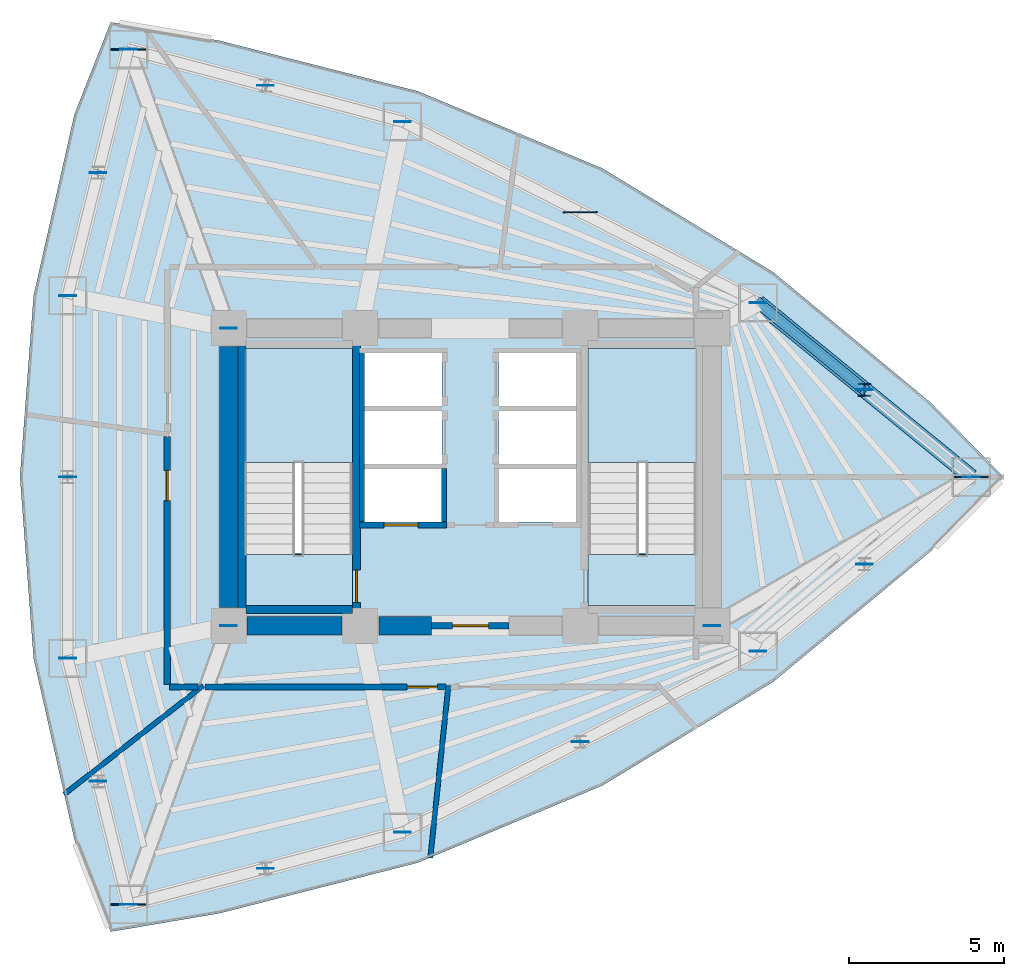
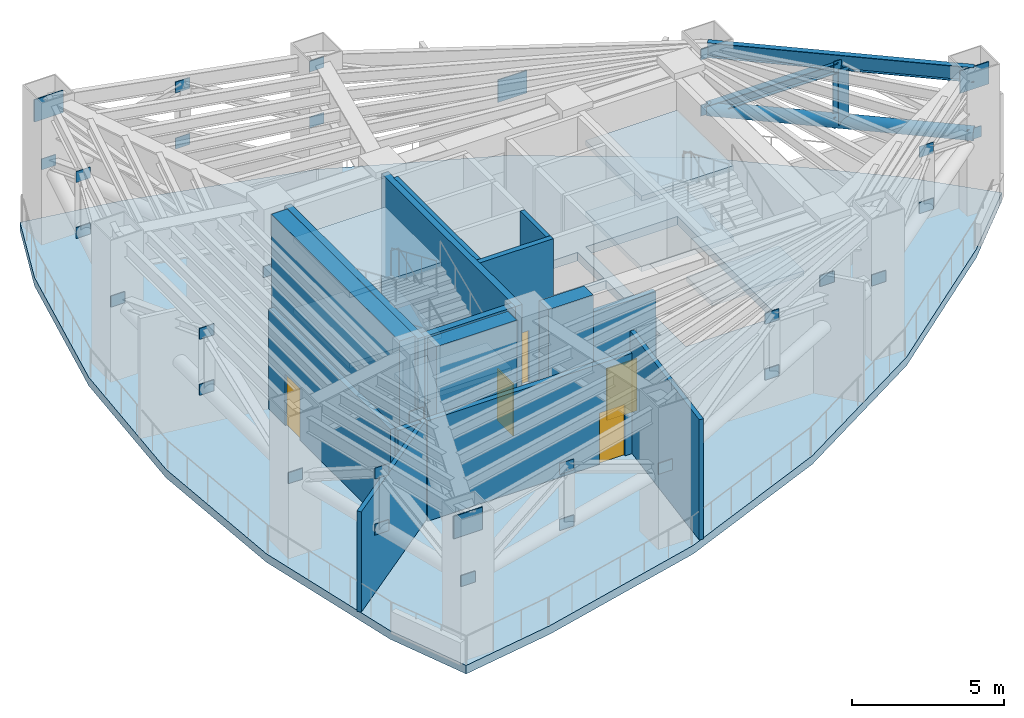
# One storey, part 3 of 7: 34 plates, 15 walls, 7 slabs, 5 doors, 3 members, 1 beam, 5 openings, 2 elements without a shape of their own.
"""IFC4 building model written with IfcOpenShell, lengths in metres."""

from ifc_helpers import new_model, si_unit, direction, frame, frame_2d, origin, origin_2d, place, context, subcontext, project, spatial, polyline, rectangle, hollow_circle, i_section, outline, extrude, material, layer, layer_set, material_profile, profile_set, type_object, element, fill, aggregate, save


model = new_model("IFC4")

# Units and contexts
model_context = context("Model", 3, precision=1e-05, world=origin(), true_north=direction((0.0, 1.0)))
body_context = subcontext(model_context, "Body", "Model", "MODEL_VIEW")
ifc_project = project(units=[si_unit("LENGTHUNIT", "METRE"), si_unit("AREAUNIT", "SQUARE_METRE"), si_unit("VOLUMEUNIT", "CUBIC_METRE"), si_unit("PLANEANGLEUNIT", "RADIAN"), si_unit("MASSUNIT", "GRAM", prefix="KILO")], contexts=[model_context])

# Site, building, storey
site_placement = place(None, origin())
site = spatial("IfcSite", under=ifc_project, at=site_placement, CompositionType="ELEMENT")
building_placement = place(site_placement, origin())
building = spatial("IfcBuilding", under=site, at=building_placement, Name="Menara Vayukalpa", CompositionType="ELEMENT")
storey_placement = place(building_placement, frame((0.0, 0.0, 83.39990234375)))
storey = spatial("IfcBuildingStorey", under=building, at=storey_placement, Name="L20", CompositionType="ELEMENT", Elevation=83.39990234375)

# Beam
ifc_material_1 = material(Name="Steel S355", Category="steel")
ifc_material_profile_1 = material_profile(ifc_material_1, i_section(OverallWidth=0.199951171875, OverallDepth=0.60009765625, WebThickness=0.010986328125, FlangeThickness=0.01708984375, at=origin_2d()), Name="WF 600x200x11x17")
ifc_profile_set_1 = profile_set([ifc_material_profile_1], Name="Steel S355")
beam_type = type_object("IfcBeamType", Name="BM-SP1", PredefinedType="SPANDREL", material=ifc_profile_set_1)
beam_placement = place(storey_placement, frame((41.761962890625, 22.0, 5.150146484375), z_axis=(-0.774156906301, 0.632993747541, 0.0), x_axis=(-0.632993747541, -0.774156906301, 0.0)))
element("IfcBeam", 1, at=beam_placement, inside=storey, type_object=beam_type, Name="L20 Perimeter Spandrel Beam SP01", PredefinedType="SPANDREL", context=body_context, shape_type="SweptSolid", body=[
    extrude(i_section(OverallWidth=0.199951171875, OverallDepth=0.60009765625, WebThickness=0.010986328125, FlangeThickness=0.01708984375, at=origin_2d()), origin(), (0.0, 0.0, 1.0), 8.880859375),
])

# Members
ifc_material_2 = material(Name="Steel S355", Category="steel")
ifc_material_profile_2 = material_profile(ifc_material_2, i_section(OverallWidth=0.35009765625, OverallDepth=0.35009765625, WebThickness=0.011962890625, FlangeThickness=0.01904296875, at=origin_2d()), Name="H 350x350x12x19")
ifc_profile_set_2 = profile_set([ifc_material_profile_2], Name="Steel S355")
member_type_1 = type_object("IfcMemberType", Name="MEM-BT1", PredefinedType="BRACE", material=ifc_profile_set_2)
member_1_placement = place(storey_placement, frame((34.88671875, 27.62158203125, 2.75), z_axis=(0.690552742896, -0.56465438416, 0.451998158987), x_axis=(0.633007219026, 0.77414589107, 0.0)))
element("IfcMember", 2, at=member_1_placement, inside=storey, type_object=member_type_1, Name="L20 Belt Truss Diagonal B01", PredefinedType="BRACE", context=body_context, shape_type="SweptSolid", body=[
    extrude(i_section(OverallWidth=0.35009765625, OverallDepth=0.35009765625, WebThickness=0.011962890625, FlangeThickness=0.01904296875, at=origin_2d()), origin(), (0.0, 0.0, 1.0), 4.977783203125),
])
ifc_material_3 = material(Name="Steel S460", Category="steel")
ifc_material_profile_3 = material_profile(ifc_material_3, hollow_circle(Radius=0.25390625, WallThickness=0.02490234375, at=origin_2d()), Name="CHS 508.0x25")
ifc_profile_set_3 = profile_set([ifc_material_profile_3], Name="Steel S460")
member_type_2 = type_object("IfcMemberType", Name="MEM-CH1", PredefinedType="CHORD", material=ifc_profile_set_3)
member_2_placement = place(storey_placement, frame((41.761962890625, 22.0, 2.75), z_axis=(-0.774156906301, 0.632993747541, 0.0), x_axis=(-0.632993747541, -0.774156906301, 0.0)))
element("IfcMember", 3, at=member_2_placement, inside=storey, type_object=member_type_2, Name="L20 Belt Truss Bottom Chord 01", PredefinedType="CHORD", context=body_context, shape_type="SweptSolid", body=[
    extrude(hollow_circle(Radius=0.25390625, WallThickness=0.02490234375, at=origin_2d()), origin(), (0.0, 0.0, 1.0), 8.880859375),
])
ifc_material_4 = material(Name="Steel S355", Category="steel")
ifc_material_profile_4 = material_profile(ifc_material_4, i_section(OverallWidth=0.39990234375, OverallDepth=0.39990234375, WebThickness=0.012939453125, FlangeThickness=0.02099609375, at=origin_2d()), Name="H 400x400x13x21")
ifc_profile_set_4 = profile_set([ifc_material_profile_4], Name="Steel S355")
member_type_3 = type_object("IfcMemberType", Name="MEM-ST1", PredefinedType="STRUT", material=ifc_profile_set_4)
member_3_placement = place(storey_placement, frame((38.32421875, 24.810791015625, 2.75), z_axis=(0.0, 0.0, 1.0), x_axis=(1.0, 0.0, 0.0)))
element("IfcMember", 4, at=member_3_placement, inside=storey, type_object=member_type_3, Name="L20 Belt Truss Vertical Strut 01", PredefinedType="STRUT", context=body_context, shape_type="SweptSolid", body=[
    extrude(i_section(OverallWidth=0.39990234375, OverallDepth=0.39990234375, WebThickness=0.012939453125, FlangeThickness=0.02099609375, at=origin_2d()), origin(), (0.0, 0.0, 1.0), 2.25),
])

# Plates
ifc_material_5 = material(Name="Steel S355", Category="steel")
ifc_layer_1 = layer(ifc_material_5, 0.028076171875)
ifc_layer_set_1 = layer_set([ifc_layer_1], Name="Steel S355")
plate_type_1 = type_object("IfcPlateType", Name="PLT-END1", PredefinedType="USERDEFINED", material=ifc_layer_set_1)
for number, where, z_axis, x_axis, name in (
    (5, (33.39990234375, 17.199951171875, 2.530029296875), (0.0, 0.0, 1.0), (1.0, 0.0, 0.0), "L20 Structural Brace End Gusset Plate 001"),
    (6, (41.761962890625, 22.0, 2.530029296875), (0.0, 0.0, 1.0), (1.0, 0.0, 0.0), "L20 Structural Brace End Gusset Plate 002"),
    (7, (17.800048828125, 26.800048828125, 2.530029296875), (0.0, 0.0, 1.0), (1.0, 0.0, 0.0), "L20 Structural Brace End Gusset Plate 003"),
    (8, (14.569091796875, 35.79736328125, 2.530029296875), (0.0, 0.0, 1.0), (1.0, 0.0, 0.0), "L20 Structural Brace End Gusset Plate 004"),
    (9, (17.800048828125, 17.199951171875, 2.530029296875), (0.0, 0.0, 1.0), (1.0, 0.0, 0.0), "L20 Structural Brace End Gusset Plate 005"),
    (10, (14.569091796875, 8.20263671875, 2.530029296875), (0.0, 0.0, 1.0), (1.0, 0.0, 0.0), "L20 Structural Brace End Gusset Plate 006"),
    (11, (34.88671875, 27.62158203125, 2.530029296875), (0.0, 0.0, 1.0), (1.0, 0.0, 0.0), "L20 Structural Brace End Gusset Plate 007"),
    (12, (38.32421875, 24.810791015625, 4.780029296875), (0.0, 0.0, 1.0), (1.0, 0.0, 0.0), "L20 Structural Brace End Gusset Plate 008"),
    (13, (38.32421875, 24.810791015625, 2.530029296875), (0.0, 0.0, 1.0), (1.0, 0.0, 0.0), "L20 Structural Brace End Gusset Plate 009"),
    (14, (23.408203125, 33.46728515625, 2.530029296875), (0.0, 0.0, 1.0), (1.0, 0.0, 0.0), "L20 Structural Brace End Gusset Plate 010"),
    (15, (23.408203125, 33.46728515625, 4.780029296875), (0.0, 0.0, 1.0), (1.0, 0.0, 0.0), "L20 Structural Brace End Gusset Plate 011"),
    (16, (34.88671875, 27.62158203125, 4.780029296875), (0.0, 0.0, 1.0), (1.0, 0.0, 0.0), "L20 Structural Brace End Gusset Plate 012"),
    (17, (18.988525390625, 34.63232421875, 4.780029296875), (0.0, 0.0, 1.0), (1.0, 0.0, 0.0), "L20 Structural Brace End Gusset Plate 013"),
    (18, (18.988525390625, 34.63232421875, 2.530029296875), (0.0, 0.0, 1.0), (1.0, 0.0, 0.0), "L20 Structural Brace End Gusset Plate 014"),
    (19, (12.606689453125, 27.845703125, 2.530029296875), (0.0, 0.0, 1.0), (1.0, 0.0, 0.0), "L20 Structural Brace End Gusset Plate 015"),
    (20, (13.587890625, 31.821533203125, 4.780029296875), (0.0, 0.0, 1.0), (1.0, 0.0, 0.0), "L20 Structural Brace End Gusset Plate 016"),
    (21, (13.587890625, 31.821533203125, 2.530029296875), (0.0, 0.0, 1.0), (1.0, 0.0, 0.0), "L20 Structural Brace End Gusset Plate 017"),
    (22, (12.606689453125, 16.154296875, 2.530029296875), (0.0, 0.0, 1.0), (1.0, 0.0, 0.0), "L20 Structural Brace End Gusset Plate 018"),
    (23, (12.606689453125, 22.0, 4.780029296875), (0.0, 0.0, 1.0), (1.0, 0.0, 0.0), "L20 Structural Brace End Gusset Plate 019"),
    (24, (12.606689453125, 22.0, 2.530029296875), (0.0, 0.0, 1.0), (1.0, 0.0, 0.0), "L20 Structural Brace End Gusset Plate 020"),
    (25, (13.587890625, 12.178466796875, 4.780029296875), (0.0, 0.0, 1.0), (1.0, 0.0, 0.0), "L20 Structural Brace End Gusset Plate 021"),
    (26, (13.587890625, 12.178466796875, 2.530029296875), (0.0, 0.0, 1.0), (1.0, 0.0, 0.0), "L20 Structural Brace End Gusset Plate 022"),
    (27, (23.408203125, 10.53271484375, 2.530029296875), (0.0, 0.0, 1.0), (1.0, 0.0, 0.0), "L20 Structural Brace End Gusset Plate 023"),
    (28, (18.988525390625, 9.36767578125, 4.780029296875), (0.0, 0.0, 1.0), (1.0, 0.0, 0.0), "L20 Structural Brace End Gusset Plate 024"),
    (29, (18.988525390625, 9.36767578125, 2.530029296875), (0.0, 0.0, 1.0), (1.0, 0.0, 0.0), "L20 Structural Brace End Gusset Plate 025"),
    (30, (34.88671875, 16.37841796875, 2.530029296875), (0.0, 0.0, 1.0), (1.0, 0.0, 0.0), "L20 Structural Brace End Gusset Plate 026"),
    (31, (29.1474609375, 13.455322265625, 4.780029296875), (0.0, 0.0, 1.0), (1.0, 0.0, 0.0), "L20 Structural Brace End Gusset Plate 027"),
    (32, (29.1474609375, 13.455322265625, 2.530029296875), (0.0, 0.0, 1.0), (1.0, 0.0, 0.0), "L20 Structural Brace End Gusset Plate 028"),
    (33, (38.32421875, 19.189208984375, 4.780029296875), (0.0, 0.0, 1.0), (1.0, 0.0, 0.0), "L20 Structural Brace End Gusset Plate 029"),
    (34, (38.32421875, 19.189208984375, 2.530029296875), (0.0, 0.0, 1.0), (1.0, 0.0, 0.0), "L20 Structural Brace End Gusset Plate 030"),
):
    element("IfcPlate", number, at=place(storey_placement, frame(where, z_axis=z_axis, x_axis=x_axis)), inside=storey, type_object=plate_type_1, Name=name, ObjectType="GUSSET_PLATE", PredefinedType="USERDEFINED", context=body_context, shape_type="SweptSolid", body=[
        extrude(rectangle(XDim=0.5400390625, YDim=0.028076171875, at=origin_2d()), origin(), (0.0, 0.0, 1.0), 0.43994140625),
    ])
ifc_material_6 = material(Name="Steel S355", Category="steel")
ifc_layer_2 = layer(ifc_material_6, 0.0400390625)
ifc_layer_set_2 = layer_set([ifc_layer_2], Name="Steel S355")
plate_type_2 = type_object("IfcPlateType", Name="PLT-OTN1", PredefinedType="USERDEFINED", material=ifc_layer_set_2)
for number, where, z_axis, x_axis, name in (
    (35, (41.761962890625, 22.0, 4.550048828125), (0.0, 0.0, 1.0), (1.0, 0.0, 0.0), "L20 Outrigger Gusset Plate 01"),
    (36, (14.569091796875, 35.79736328125, 4.550048828125), (0.0, 0.0, 1.0), (1.0, 0.0, 0.0), "L20 Outrigger Gusset Plate 04"),
    (37, (14.569091796875, 8.20263671875, 4.550048828125), (0.0, 0.0, 1.0), (1.0, 0.0, 0.0), "L20 Outrigger Gusset Plate 07"),
    (38, (29.1474609375, 30.544677734375, 3.425048828125), (0.0, 0.0, 1.0), (1.0, 0.0, 0.0), "L20 Belt X-Brace Crossing Gusset Plate 02"),
):
    element("IfcPlate", number, at=place(storey_placement, frame(where, z_axis=z_axis, x_axis=x_axis)), inside=storey, type_object=plate_type_2, Name=name, ObjectType="GUSSET_PLATE", PredefinedType="USERDEFINED", context=body_context, shape_type="SweptSolid", body=[
        extrude(rectangle(XDim=1.10009765625, YDim=0.0400390625, at=origin_2d()), origin(), (0.0, 0.0, 1.0), 0.89990234375),
    ])

# Slab
ifc_material_7 = material(Name="Concrete C45/55", Category="concrete")
ifc_layer_3 = layer(ifc_material_7, 0.340087890625)
ifc_layer_set_3 = layer_set([ifc_layer_3], Name="Concrete C45/55")
slab_type_1 = type_object("IfcSlabType", Name="SLB-FL340", PredefinedType="FLOOR", material=ifc_layer_set_3)
slab_1_placement = place(storey_placement, frame((0.0, 0.0, -0.33984375)))
element("IfcSlab", 39, at=slab_1_placement, inside=storey, type_object=slab_type_1, Name="L20 Structural Floor Slab", PredefinedType="FLOOR", context=body_context, shape_type="SweptSolid", body=[
    extrude(outline(polyline([(40.4677734375, 19.6123046875), (42.81201171875, 22.0), (40.4677734375, 24.3876953125), (35.385986328125, 28.601806640625), (29.865966796875, 31.955078125), (23.907470703125, 34.447509765625), (17.510498046875, 36.0791015625), (13.993896484375, 36.676025390625), (12.822021484375, 33.69140625), (11.506591796875, 27.845703125), (11.068115234375, 22.0), (11.506591796875, 16.154296875), (12.822021484375, 10.30859375), (13.993896484375, 7.323974609375), (17.510498046875, 7.9208984375), (23.907470703125, 9.552490234375), (29.865966796875, 12.044921875), (35.385986328125, 15.398193359375), (40.4677734375, 19.6123046875)]), holes=[polyline([(21.800048828125, 19.550048828125), (21.800048828125, 26.14990234375), (18.300048828125, 26.14990234375), (18.300048828125, 19.550048828125), (21.800048828125, 19.550048828125)]), polyline([(32.89990234375, 19.550048828125), (32.89990234375, 26.14990234375), (29.39990234375, 26.14990234375), (29.39990234375, 19.550048828125), (32.89990234375, 19.550048828125)]), polyline([(22.179931640625, 20.550048828125), (24.679931640625, 20.550048828125), (24.679931640625, 22.27001953125), (22.179931640625, 22.27001953125), (22.179931640625, 20.550048828125)]), polyline([(26.52001953125, 20.550048828125), (29.02001953125, 20.550048828125), (29.02001953125, 22.27001953125), (26.52001953125, 22.27001953125), (26.52001953125, 20.550048828125)]), polyline([(22.179931640625, 22.419921875), (24.679931640625, 22.419921875), (24.679931640625, 24.139892578125), (22.179931640625, 24.139892578125), (22.179931640625, 22.419921875)]), polyline([(22.179931640625, 24.2900390625), (24.679931640625, 24.2900390625), (24.679931640625, 26.010009765625), (22.179931640625, 26.010009765625), (22.179931640625, 24.2900390625)]), polyline([(26.52001953125, 24.2900390625), (29.02001953125, 24.2900390625), (29.02001953125, 26.010009765625), (26.52001953125, 26.010009765625), (26.52001953125, 24.2900390625)]), polyline([(26.52001953125, 22.419921875), (29.02001953125, 22.419921875), (29.02001953125, 24.139892578125), (26.52001953125, 24.139892578125), (26.52001953125, 22.419921875)])]), origin(), (0.0, 0.0, 1.0), 0.33984375),
])

# Stair, slabs
ifc_material_8 = material(Name="Precast Concrete C40/50", Category="concrete")
stair_type = type_object("IfcStairType", Name="STR-T05", PredefinedType="DOUBLE_RETURN_STAIR", material=ifc_material_8)
stair_1_placement = place(storey_placement, origin())
stair_1 = element("IfcStair", 40, at=stair_1_placement, inside=storey, type_object=stair_type, Name="L20 Core Exit Stair ST-1", PredefinedType="DOUBLE_RETURN_STAIR")
ifc_material_9 = material(Name="Precast Concrete C40/50", Category="concrete")
ifc_layer_4 = layer(ifc_material_9, 0.199951171875)
ifc_layer_set_4 = layer_set([ifc_layer_4], Name="Precast Concrete C40/50")
slab_type_2 = type_object("IfcSlabType", Name="SLB-LND200", PredefinedType="LANDING", material=ifc_layer_set_4)
slab_2_placement = place(storey_placement, frame((0.0, 0.0, 1.22509765625)))
slab_2 = element("IfcSlab", 41, at=slab_2_placement, type_object=slab_type_2, Name="ST-1 landing 1", PredefinedType="LANDING", context=body_context, shape_type="SweptSolid", body=[
    extrude(outline(polyline([(21.800048828125, 22.469970703125), (21.800048828125, 26.14990234375), (18.300048828125, 26.14990234375), (18.300048828125, 22.469970703125), (21.800048828125, 22.469970703125)])), origin(), (0.0, 0.0, 1.0), 0.199951171875),
])
slab_3_placement = place(storey_placement, frame((0.0, 0.0, 2.650146484375)))
slab_3 = element("IfcSlab", 42, at=slab_3_placement, type_object=slab_type_2, Name="ST-1 landing 2", PredefinedType="LANDING", context=body_context, shape_type="SweptSolid", body=[
    extrude(outline(polyline([(21.800048828125, 17.85009765625), (21.800048828125, 19.5), (18.300048828125, 19.5), (18.300048828125, 17.85009765625), (21.800048828125, 17.85009765625)])), origin(), (0.0, 0.0, 1.0), 0.199951171875),
])
slab_4_placement = place(storey_placement, frame((0.0, 0.0, 4.0751953125)))
slab_4 = element("IfcSlab", 43, at=slab_4_placement, type_object=slab_type_2, Name="ST-1 landing 3", PredefinedType="LANDING", context=body_context, shape_type="SweptSolid", body=[
    extrude(outline(polyline([(21.800048828125, 22.469970703125), (21.800048828125, 26.14990234375), (18.300048828125, 26.14990234375), (18.300048828125, 22.469970703125), (21.800048828125, 22.469970703125)])), origin(), (0.0, 0.0, 1.0), 0.199951171875),
])
aggregate(stair_1, [slab_2, slab_3, slab_4])

stair_2_placement = place(storey_placement, origin())
stair_2 = element("IfcStair", 44, at=stair_2_placement, inside=storey, type_object=stair_type, Name="L20 Core Exit Stair ST-2", PredefinedType="DOUBLE_RETURN_STAIR")
slab_5_placement = place(storey_placement, frame((0.0, 0.0, 1.22509765625)))
slab_5 = element("IfcSlab", 45, at=slab_5_placement, type_object=slab_type_2, Name="ST-2 landing 1", PredefinedType="LANDING", context=body_context, shape_type="SweptSolid", body=[
    extrude(outline(polyline([(32.89990234375, 22.469970703125), (32.89990234375, 26.14990234375), (29.39990234375, 26.14990234375), (29.39990234375, 22.469970703125), (32.89990234375, 22.469970703125)])), origin(), (0.0, 0.0, 1.0), 0.199951171875),
])
slab_6_placement = place(storey_placement, frame((0.0, 0.0, 2.650146484375)))
slab_6 = element("IfcSlab", 46, at=slab_6_placement, type_object=slab_type_2, Name="ST-2 landing 2", PredefinedType="LANDING", context=body_context, shape_type="SweptSolid", body=[
    extrude(outline(polyline([(32.89990234375, 17.85009765625), (32.89990234375, 19.5), (29.39990234375, 19.5), (29.39990234375, 17.85009765625), (32.89990234375, 17.85009765625)])), origin(), (0.0, 0.0, 1.0), 0.199951171875),
])
slab_7_placement = place(storey_placement, frame((0.0, 0.0, 4.0751953125)))
slab_7 = element("IfcSlab", 47, at=slab_7_placement, type_object=slab_type_2, Name="ST-2 landing 3", PredefinedType="LANDING", context=body_context, shape_type="SweptSolid", body=[
    extrude(outline(polyline([(32.89990234375, 22.469970703125), (32.89990234375, 26.14990234375), (29.39990234375, 26.14990234375), (29.39990234375, 22.469970703125), (32.89990234375, 22.469970703125)])), origin(), (0.0, 0.0, 1.0), 0.199951171875),
])
aggregate(stair_2, [slab_5, slab_6, slab_7])

# Walls
ifc_material_10 = material(Name="Concrete C70/85", Category="concrete")
ifc_layer_5 = layer(ifc_material_10, 0.60009765625)
ifc_layer_set_5 = layer_set([ifc_layer_5], Name="Concrete C70/85")
wall_type_1 = type_object("IfcWallType", Name="WAL-CW600", PredefinedType="SHEAR", material=ifc_layer_set_5)
wall_1_placement = place(storey_placement, frame((18.39501953125, 17.199951171875, 0.0), z_axis=(0.0, 0.0, 1.0), x_axis=(1.0, 0.0, 0.0)))
element("IfcWall", 48, at=wall_1_placement, inside=storey, type_object=wall_type_1, Name="L20 Buttressed Core Shear Wall CWS1", PredefinedType="SHEAR", context=body_context, shape_type="SweptSolid", body=[
    extrude(rectangle(XDim=3.06005859375, YDim=0.60009765625, at=frame_2d((1.530029296875, 0.0))), origin(), (0.0, 0.0, 1.0), 5.4501953125),
])
wall_2_placement = place(storey_placement, frame((22.64501953125, 17.199951171875, 0.0), z_axis=(0.0, 0.0, 1.0), x_axis=(1.0, 0.0, 0.0)))
element("IfcWall", 49, at=wall_2_placement, inside=storey, type_object=wall_type_1, Name="L20 Buttressed Core Shear Wall CWS2", PredefinedType="SHEAR", context=body_context, shape_type="SweptSolid", body=[
    extrude(rectangle(XDim=1.705078125, YDim=0.60009765625, at=frame_2d((0.8525390625, 0.0))), origin(), (0.0, 0.0, 1.0), 5.4501953125),
])
wall_3_placement = place(storey_placement, frame((17.800048828125, 17.794921875, 0.0), z_axis=(0.0, 0.0, 1.0), x_axis=(0.0, 1.0, 0.0)))
element("IfcWall", 50, at=wall_3_placement, inside=storey, type_object=wall_type_1, Name="L20 Buttressed Core Shear Wall CWW1", PredefinedType="SHEAR", context=body_context, shape_type="SweptSolid", body=[
    extrude(rectangle(XDim=8.41015625, YDim=0.60009765625, at=frame_2d((4.205078125, 0.0))), origin(), (0.0, 0.0, 1.0), 5.4501953125),
])
ifc_material_11 = material(Name="Lightweight Concrete Blockwork C16/20", Category="masonry")
ifc_layer_6 = layer(ifc_material_11, 0.159912109375)
ifc_layer_set_6 = layer_set([ifc_layer_6], Name="Lightweight Concrete Blockwork C16/20")
wall_type_2 = type_object("IfcWallType", Name="WAL-FR150", PredefinedType="PARTITIONING", material=ifc_layer_set_6)
wall_4_placement = place(storey_placement, frame((22.10498046875, 20.56005859375, 0.0), z_axis=(0.0, 0.0, 1.0), x_axis=(0.0, 1.0, 0.0)))
element("IfcWall", 51, at=wall_4_placement, inside=storey, type_object=wall_type_2, Name="L20 Interior Partition IW-L20-SHW-WW", PredefinedType="PARTITIONING", context=body_context, shape_type="SweptSolid", body=[
    extrude(rectangle(XDim=5.449951171875, YDim=0.159912109375, at=frame_2d((2.72509765625, 0.0))), origin(), (0.0, 0.0, 1.0), 5.4501953125),
])
wall_5_placement = place(storey_placement, frame((24.7548828125, 20.56005859375, 0.0), z_axis=(0.0, 0.0, 1.0), x_axis=(0.0, 1.0, 0.0)))
element("IfcWall", 52, at=wall_5_placement, inside=storey, type_object=wall_type_2, Name="L20 Interior Partition IW-L20-SHW-W1E", PredefinedType="PARTITIONING", context=body_context, shape_type="SweptSolid", body=[
    extrude(rectangle(XDim=1.7099609375, YDim=0.159912109375, at=frame_2d((0.85498046875, 0.0))), origin(), (0.0, 0.0, 1.0), 5.4501953125),
])
wall_6_placement = place(storey_placement, frame((16.986083984375, 15.27001953125, 0.0), z_axis=(0.0, 0.0, 1.0), x_axis=(-0.788008168745, -0.615664783784, 0.0)))
element("IfcWall", 53, at=wall_6_placement, inside=storey, type_object=wall_type_2, Name="L20 Interior Partition IW-L20-RDIV06", PredefinedType="PARTITIONING", context=body_context, shape_type="SweptSolid", body=[
    extrude(rectangle(XDim=5.710205078125, YDim=0.159912109375, at=frame_2d((2.85498046875, 0.0))), origin(), (0.0, 0.0, 1.0), 4.030029296875),
])
wall_7_placement = place(storey_placement, frame((24.892578125, 15.27001953125, 0.0), z_axis=(0.0, 0.0, 1.0), x_axis=(-0.104530226711, -0.994521710021, 0.0)))
element("IfcWall", 54, at=wall_7_placement, inside=storey, type_object=wall_type_2, Name="L20 Interior Partition IW-L20-RDIV07", PredefinedType="PARTITIONING", context=body_context, shape_type="SweptSolid", body=[
    extrude(rectangle(XDim=5.59130859375, YDim=0.159912109375, at=frame_2d((2.795654296875, 0.0))), origin(), (0.0, 0.0, 1.0), 4.830078125),
])

# Wall, opening, door
ifc_material_12 = material(Name="Lightweight Concrete Blockwork C16/20", Category="masonry")
ifc_layer_7 = layer(ifc_material_12, 0.199951171875)
ifc_layer_set_7 = layer_set([ifc_layer_7], Name="Lightweight Concrete Blockwork C16/20")
wall_type_3 = type_object("IfcWallType", Name="WAL-FR200", PredefinedType="PARTITIONING", material=ifc_layer_set_7)
wall_8_placement = place(storey_placement, frame((24.35009765625, 17.199951171875, 0.0), z_axis=(0.0, 0.0, 1.0), x_axis=(1.0, 0.0, 0.0)))
wall_8 = element("IfcWall", 55, at=wall_8_placement, inside=storey, type_object=wall_type_3, Name="L20 Interior Partition IW-L20-FFLS", PredefinedType="PARTITIONING", context=body_context, shape_type="SweptSolid", body=[
    extrude(rectangle(XDim=2.5, YDim=0.199951171875, at=frame_2d((1.25, 0.0))), origin(), (0.0, 0.0, 1.0), 4.580078125),
])
opening_1_placement = place(wall_8_placement, frame((0.679931640625, 0.0, 0.0)))
opening_1 = element("IfcOpeningElement", 56, at=opening_1_placement, cuts=wall_8, Name="Opening ID2", PredefinedType="OPENING", context=body_context, shape_type="SweptSolid", body=[
    extrude(rectangle(XDim=1.14990234375, YDim=2.080078125, at=frame_2d((0.574951171875, 1.0400390625))), frame((0.0, 0.10986328125, 0.0), z_axis=(0.0, -1.0, 0.0), x_axis=(1.0, 0.0, 0.0)), (0.0, 0.0, 1.0), 0.219970703125),
])
ifc_material_13 = material(Name="Fire-Rated Powder-Coated Steel Door", Category="steel")
door_type_1 = type_object("IfcDoorType", Name="DR-FD60W", OperationType="NOTDEFINED", PredefinedType="DOOR", material=ifc_material_13)
door_1_placement = place(opening_1_placement, origin())
door_1 = element("IfcDoor", 57, at=door_1_placement, inside=storey, type_object=door_type_1, Name="L20 Interior Door DR-L20-FFLS", OperationType="SINGLE_SWING_RIGHT", OverallHeight=2.080078125, OverallWidth=1.14990234375, PredefinedType="DOOR", context=body_context, shape_type="SweptSolid", body=[
    extrude(rectangle(XDim=1.14990234375, YDim=2.080078125, at=frame_2d((0.574951171875, 1.0400390625))), frame((0.0, 0.02490234375, 0.0), z_axis=(0.0, -1.0, 0.0), x_axis=(1.0, 0.0, 0.0)), (0.0, 0.0, 1.0), 0.050048828125),
])
fill(opening_1, door_1)

wall_9_placement = place(storey_placement, frame((22.030029296875, 20.449951171875, 0.0), z_axis=(0.0, 0.0, 1.0), x_axis=(1.0, 0.0, 0.0)))
wall_9 = element("IfcWall", 58, at=wall_9_placement, inside=storey, type_object=wall_type_3, Name="L20 Interior Partition IW-L20-SH-W1", PredefinedType="PARTITIONING", context=body_context, shape_type="SweptSolid", body=[
    extrude(rectangle(XDim=2.800048828125, YDim=0.199951171875, at=frame_2d((1.39990234375, 0.0))), origin(), (0.0, 0.0, 1.0), 5.4501953125),
])
opening_2_placement = place(wall_9_placement, frame((0.780029296875, 0.0, 0.0)))
opening_2 = element("IfcOpeningElement", 59, at=opening_2_placement, cuts=wall_9, Name="Opening LD1", PredefinedType="OPENING", context=body_context, shape_type="SweptSolid", body=[
    extrude(rectangle(XDim=1.10009765625, YDim=2.080078125, at=frame_2d((0.550048828125, 1.0400390625))), frame((0.0, 0.10986328125, 0.0), z_axis=(0.0, -1.0, 0.0), x_axis=(1.0, 0.0, 0.0)), (0.0, 0.0, 1.0), 0.219970703125),
])
ifc_material_14 = material(Name="Brushed Stainless Steel 316 Lift Door", Category="steel")
door_type_2 = type_object("IfcDoorType", Name="DR-LD110", OperationType="NOTDEFINED", PredefinedType="DOOR", material=ifc_material_14)
door_2_placement = place(opening_2_placement, origin())
door_2 = element("IfcDoor", 60, at=door_2_placement, inside=storey, type_object=door_type_2, Name="L20 Interior Door DR-L20-LD-W1", OperationType="DOUBLE_DOOR_SLIDING", OverallHeight=2.080078125, OverallWidth=1.10009765625, PredefinedType="DOOR", context=body_context, shape_type="SweptSolid", body=[
    extrude(rectangle(XDim=1.10009765625, YDim=2.080078125, at=frame_2d((0.550048828125, 1.0400390625))), frame((0.0, 0.02490234375, 0.0), z_axis=(0.0, -1.0, 0.0), x_axis=(1.0, 0.0, 0.0)), (0.0, 0.0, 1.0), 0.050048828125),
])
fill(opening_2, door_2)

wall_10_placement = place(storey_placement, frame((15.820068359375, 23.3037109375, 0.0), z_axis=(0.0, 0.0, 1.0), x_axis=(0.0, -1.0, 0.0)))
wall_10 = element("IfcWall", 61, at=wall_10_placement, inside=storey, type_object=wall_type_3, Name="L20 Interior Partition IW-L20-CRM01-1", PredefinedType="PARTITIONING", context=body_context, shape_type="SweptSolid", body=[
    extrude(rectangle(XDim=8.003662109375, YDim=0.199951171875, at=frame_2d((4.001953125, 0.0))), origin(), (0.0, 0.0, 1.0), 4.030029296875),
])
opening_3_placement = place(wall_10_placement, frame((1.087890625, 0.0, 0.0)))
opening_3 = element("IfcOpeningElement", 62, at=opening_3_placement, cuts=wall_10, Name="Opening ID3", PredefinedType="OPENING", context=body_context, shape_type="SweptSolid", body=[
    extrude(rectangle(XDim=0.97998046875, YDim=2.06005859375, at=frame_2d((0.489990234375, 1.030029296875))), frame((0.0, 0.10986328125, 0.0), z_axis=(0.0, -1.0, 0.0), x_axis=(1.0, 0.0, 0.0)), (0.0, 0.0, 1.0), 0.219970703125),
])
ifc_material_15 = material(Name="Fire-Rated Powder-Coated Steel Door", Category="steel")
door_type_3 = type_object("IfcDoorType", Name="DR-FD60", OperationType="NOTDEFINED", PredefinedType="DOOR", material=ifc_material_15)
door_3_placement = place(opening_3_placement, origin())
door_3 = element("IfcDoor", 63, at=door_3_placement, inside=storey, type_object=door_type_3, Name="L20 Interior Door DR-L20-RM01", OperationType="SINGLE_SWING_RIGHT", OverallHeight=2.06005859375, OverallWidth=0.97998046875, PredefinedType="DOOR", context=body_context, shape_type="SweptSolid", body=[
    extrude(rectangle(XDim=0.97998046875, YDim=2.06005859375, at=frame_2d((0.489990234375, 1.030029296875))), frame((0.0, 0.02490234375, 0.0), z_axis=(0.0, -1.0, 0.0), x_axis=(1.0, 0.0, 0.0)), (0.0, 0.0, 1.0), 0.050048828125),
])
fill(opening_3, door_3)

# Wall
wall_11_placement = place(storey_placement, frame((15.89990234375, 15.219970703125, 0.0), z_axis=(0.0, 0.0, 1.0), x_axis=(1.0, 0.0, 0.0)))
element("IfcWall", 64, at=wall_11_placement, inside=storey, type_object=wall_type_3, Name="L20 Interior Partition IW-L20-CRM01-2", PredefinedType="PARTITIONING", context=body_context, shape_type="SweptSolid", body=[
    extrude(rectangle(XDim=0.908447265625, YDim=0.199951171875, at=frame_2d((0.4541015625, 0.0))), origin(), (0.0, 0.0, 1.0), 4.030029296875),
])

# Wall, opening, door
wall_12_placement = place(storey_placement, frame((17.034912109375, 15.219970703125, 0.0), z_axis=(0.0, 0.0, 1.0), x_axis=(1.0, 0.0, 0.0)))
wall_12 = element("IfcWall", 65, at=wall_12_placement, inside=storey, type_object=wall_type_3, Name="L20 Interior Partition IW-L20-CRM02-1", PredefinedType="PARTITIONING", context=body_context, shape_type="SweptSolid", body=[
    extrude(rectangle(XDim=7.781982421875, YDim=0.199951171875, at=frame_2d((3.89111328125, 0.0))), origin(), (0.0, 0.0, 1.0), 4.030029296875),
])
opening_4_placement = place(wall_12_placement, frame((6.522216796875, 0.0, 0.0)))
opening_4 = element("IfcOpeningElement", 66, at=opening_4_placement, cuts=wall_12, Name="Opening ID3", PredefinedType="OPENING", context=body_context, shape_type="SweptSolid", body=[
    extrude(rectangle(XDim=0.97998046875, YDim=2.06005859375, at=frame_2d((0.489990234375, 1.030029296875))), frame((0.0, 0.10986328125, 0.0), z_axis=(0.0, -1.0, 0.0), x_axis=(1.0, 0.0, 0.0)), (0.0, 0.0, 1.0), 0.219970703125),
])
door_4_placement = place(opening_4_placement, origin())
door_4 = element("IfcDoor", 67, at=door_4_placement, inside=storey, type_object=door_type_3, Name="L20 Interior Door DR-L20-RM02", OperationType="SINGLE_SWING_LEFT", OverallHeight=2.06005859375, OverallWidth=0.97998046875, PredefinedType="DOOR", context=body_context, shape_type="SweptSolid", body=[
    extrude(rectangle(XDim=0.97998046875, YDim=2.06005859375, at=frame_2d((0.489990234375, 1.030029296875))), frame((0.0, 0.02490234375, 0.0), z_axis=(0.0, -1.0, 0.0), x_axis=(1.0, 0.0, 0.0)), (0.0, 0.0, 1.0), 0.050048828125),
])
fill(opening_4, door_4)

# Wall
ifc_material_16 = material(Name="Concrete C50/60", Category="concrete")
ifc_layer_8 = layer(ifc_material_16, 0.25)
ifc_layer_set_8 = layer_set([ifc_layer_8], Name="Concrete C50/60")
wall_type_4 = type_object("IfcWallType", Name="WAL-SW250", PredefinedType="SHEAR", material=ifc_layer_set_8)
wall_13_placement = place(storey_placement, frame((18.22900390625, 17.60009765625, 0.0), z_axis=(0.0, 0.0, 1.0), x_axis=(0.0, 1.0, 0.0)))
element("IfcWall", 68, at=wall_13_placement, inside=storey, type_object=wall_type_4, Name="L20 ST1 Structural Stair Shaft Wall W", PredefinedType="SHEAR", context=body_context, shape_type="SweptSolid", body=[
    extrude(rectangle(XDim=8.7998046875, YDim=0.25, at=frame_2d((4.39990234375, 0.0))), origin(), (0.0, 0.0, 1.0), 5.4501953125),
])

# Wall, opening, door
wall_14_placement = place(storey_placement, frame((21.925048828125, 17.60009765625, 0.0), z_axis=(0.0, 0.0, 1.0), x_axis=(0.0, 1.0, 0.0)))
wall_14 = element("IfcWall", 69, at=wall_14_placement, inside=storey, type_object=wall_type_4, Name="L20 ST1 Structural Stair Shaft Wall E", PredefinedType="SHEAR", context=body_context, shape_type="SweptSolid", body=[
    extrude(rectangle(XDim=8.7998046875, YDim=0.25, at=frame_2d((4.39990234375, 0.0))), origin(), (0.0, 0.0, 1.0), 5.4501953125),
])
opening_5_placement = place(wall_14_placement, frame((0.35009765625, 0.0, 0.0)))
opening_5 = element("IfcOpeningElement", 70, at=opening_5_placement, cuts=wall_14, Name="Opening ID1", PredefinedType="OPENING", context=body_context, shape_type="SweptSolid", body=[
    extrude(rectangle(XDim=1.050048828125, YDim=2.080078125, at=frame_2d((0.52490234375, 1.0400390625))), frame((0.0, 0.135009765625, 0.0), z_axis=(0.0, -1.0, 0.0), x_axis=(1.0, 0.0, 0.0)), (0.0, 0.0, 1.0), 0.27001953125),
])
ifc_material_17 = material(Name="Fire-Rated Powder-Coated Steel Door", Category="steel")
door_type_4 = type_object("IfcDoorType", Name="DR-FD120", OperationType="NOTDEFINED", PredefinedType="DOOR", material=ifc_material_17)
door_5_placement = place(opening_5_placement, origin())
door_5 = element("IfcDoor", 71, at=door_5_placement, inside=storey, type_object=door_type_4, Name="L20 Stair Exit Door DR-L20-ST1", OperationType="SINGLE_SWING_LEFT", OverallHeight=2.080078125, OverallWidth=1.050048828125, PredefinedType="DOOR", context=body_context, shape_type="SweptSolid", body=[
    extrude(rectangle(XDim=1.050048828125, YDim=2.080078125, at=frame_2d((0.52490234375, 1.0400390625))), frame((0.0, 0.02490234375, 0.0), z_axis=(0.0, -1.0, 0.0), x_axis=(1.0, 0.0, 0.0)), (0.0, 0.0, 1.0), 0.050048828125),
])
fill(opening_5, door_5)

# Wall
wall_15_placement = place(storey_placement, frame((18.35400390625, 17.72509765625, 0.0), z_axis=(0.0, 0.0, 1.0), x_axis=(1.0, 0.0, 0.0)))
element("IfcWall", 72, at=wall_15_placement, inside=storey, type_object=wall_type_4, Name="L20 ST1 Structural Stair Shaft Wall S", PredefinedType="SHEAR", context=body_context, shape_type="SweptSolid", body=[
    extrude(rectangle(XDim=3.446044921875, YDim=0.25, at=frame_2d((1.72314453125, 0.0))), origin(), (0.0, 0.0, 1.0), 5.4501953125),
])

save(model, "model.ifc")
